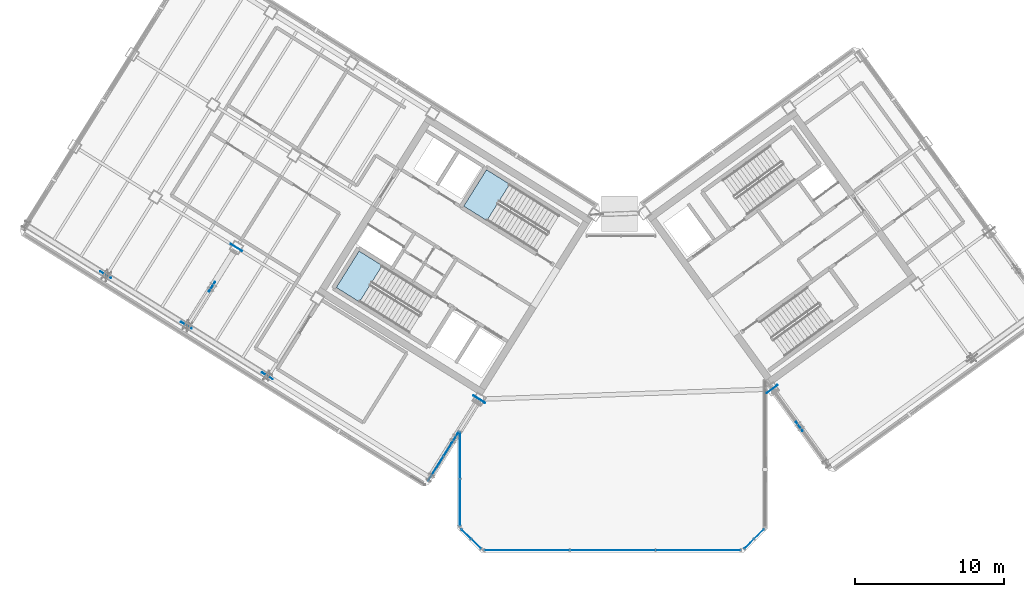
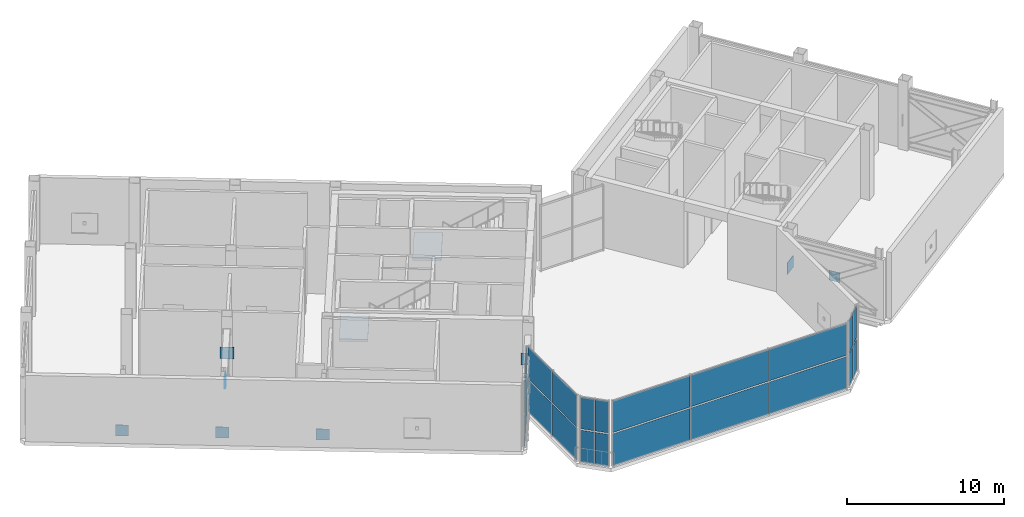
# One storey, part 14 of 32: 31 plates, 2 slabs, 7 elements without a shape of their own.
"""IFC4 building model written with IfcOpenShell, lengths in metres."""

from ifc_helpers import new_model, si_unit, direction, frame, origin, origin_2d, place, context, subcontext, project, spatial, polyline, rectangle, outline, extrude, source, transform, mapped, material, layer, layer_set, type_object, element, aggregate, save


model = new_model("IFC4")

# Units and contexts
model_context = context("Model", 3, precision=1e-05, world=origin(), true_north=direction((0.0, 1.0)))
body_context = subcontext(model_context, "Body", "Model", "MODEL_VIEW")
ifc_project = project(units=[si_unit("LENGTHUNIT", "METRE"), si_unit("AREAUNIT", "SQUARE_METRE"), si_unit("VOLUMEUNIT", "CUBIC_METRE"), si_unit("PLANEANGLEUNIT", "RADIAN"), si_unit("MASSUNIT", "GRAM", prefix="KILO")], contexts=[model_context])

# Site, building, storey
site_placement = place(None, origin())
site = spatial("IfcSite", under=ifc_project, at=site_placement, CompositionType="ELEMENT")
building_placement = place(site_placement, origin())
building = spatial("IfcBuilding", under=site, at=building_placement, Name="Tlacorven Tower", CompositionType="ELEMENT")
storey_placement = place(building_placement, frame((0.0, 0.0, 245.699951171875)))
storey = spatial("IfcBuildingStorey", under=building, at=storey_placement, Name="L62", CompositionType="ELEMENT", Elevation=245.699951171875)

# Stair, slab
ifc_material_1 = material(Name="Concrete C40/50", Category="concrete")
stair_type = type_object("IfcStairType", Name="ST-CORE-DLG", PredefinedType="HALF_TURN_STAIR", material=ifc_material_1)
stair_1_placement = place(storey_placement, origin())
stair_1 = element("IfcStair", 1, at=stair_1_placement, inside=storey, type_object=stair_type, Name="L62 Protected Exit Stair West 1", PredefinedType="HALF_TURN_STAIR")
ifc_layer_1 = layer(ifc_material_1, 0.199951171875)
ifc_layer_set_1 = layer_set([ifc_layer_1], Name="Concrete C40/50")
slab_type = type_object("IfcSlabType", Name="SL-LND-200", PredefinedType="LANDING", material=ifc_layer_set_1)
slab_1_placement = place(storey_placement, frame((0.0, 0.0, 2.5)))
slab_1 = element("IfcSlab", 2, at=slab_1_placement, type_object=slab_type, Name="ST-W1 landing 1", PredefinedType="LANDING", context=body_context, shape_type="SweptSolid", body=[
    extrude(outline(polyline([(26.541259765625, 21.05712890625), (24.9892578125, 22.02685546875), (23.463134765625, 19.58447265625), (25.014892578125, 18.61474609375), (26.541259765625, 21.05712890625)])), origin(), (0.0, 0.0, 1.0), 0.199951171875),
])
aggregate(stair_1, [slab_1])

stair_2_placement = place(storey_placement, origin())
stair_2 = element("IfcStair", 3, at=stair_2_placement, inside=storey, type_object=stair_type, Name="L62 Protected Exit Stair West 2", PredefinedType="HALF_TURN_STAIR")
slab_2_placement = place(storey_placement, frame((0.0, 0.0, 2.5)))
slab_2 = element("IfcSlab", 4, at=slab_2_placement, type_object=slab_type, Name="ST-W2 landing 1", PredefinedType="LANDING", context=body_context, shape_type="SweptSolid", body=[
    extrude(outline(polyline([(35.0927734375, 26.5146484375), (33.540771484375, 27.484375), (32.0146484375, 25.0419921875), (33.56640625, 24.072265625), (35.0927734375, 26.5146484375)])), origin(), (0.0, 0.0, 1.0), 0.199951171875),
])
aggregate(stair_2, [slab_2])

# Plates
ifc_material_2 = material(Name="Steel S460M", Category="steel")
ifc_layer_2 = layer(ifc_material_2, 0.0400390625)
ifc_layer_set_2 = layer_set([ifc_layer_2], Name="Steel S460M")
plate_type_1 = type_object("IfcPlateType", Name="PL-NODE-ON1", PredefinedType="SHEET", material=ifc_layer_set_2)
shared_shape_1 = source(origin(), body_context, "Body", "SweptSolid", [
    extrude(rectangle(XDim=0.75, YDim=0.0400390625, at=origin_2d()), origin(), (0.0, 0.0, 1.0), 0.75),
])
for number, where, z_axis, x_axis, name in (
    (5, (31.4033203125, 9.4580078125, 1.965087890625), (0.0, 0.0, 1.0), (-0.529919264233, -0.848048096156, 0.0), "L62 Outrigger X-Brace Crossing Gusset Plate W1"),
    (6, (15.120849609375, 19.63232421875, 1.965087890625), (0.0, 0.0, 1.0), (-0.529919264233, -0.848048096156, 0.0), "L62 Outrigger X-Brace Crossing Gusset Plate W2"),
    (7, (54.527587890625, 10.265380859375, 1.965087890625), (0.0, 0.0, 1.0), (-0.587785252292, 0.809016994375, 0.0), "L62 Outrigger X-Brace Crossing Gusset Plate E1"),
):
    element("IfcPlate", number, at=place(storey_placement, frame(where, z_axis=z_axis, x_axis=x_axis)), inside=storey, type_object=plate_type_1, Name=name, PredefinedType="SHEET", context=body_context, shape_type="MappedRepresentation", body=[
        mapped(shared_shape_1, transform((0.0, 0.0, 0.0), scale=1.0)),
    ])
shared_shape_2 = source(origin(), body_context, "Body", "SweptSolid", [
    extrude(rectangle(XDim=0.89990234375, YDim=0.0400390625, at=origin_2d()), origin(), (0.0, 0.0, 1.0), 0.89990234375),
])
for number, where, z_axis, x_axis, name in (
    (8, (33.046142578125, 12.0869140625, 1.89013671875), (0.0, 0.0, 1.0), (-0.848048096156, 0.529919264233, 0.0), "L62 Outrigger Embedded Core Gusset Node Plate ON1"),
    (9, (16.763671875, 22.26123046875, 1.89013671875), (0.0, 0.0, 1.0), (-0.848048096156, 0.529919264233, 0.0), "L62 Outrigger Embedded Core Gusset Node Plate ON1"),
    (10, (52.705322265625, 12.7734375, 1.89013671875), (0.0, 0.0, 1.0), (0.809016994375, 0.587785252292, 0.0), "L62 Outrigger Embedded Core Gusset Node Plate ON1"),
):
    element("IfcPlate", number, at=place(storey_placement, frame(where, z_axis=z_axis, x_axis=x_axis)), inside=storey, type_object=plate_type_1, Name=name, PredefinedType="SHEET", context=body_context, shape_type="MappedRepresentation", body=[
        mapped(shared_shape_2, transform((0.0, 0.0, 0.0), scale=1.0)),
    ])
ifc_layer_3 = layer(ifc_material_2, 0.035888671875)
ifc_layer_set_3 = layer_set([ifc_layer_3], Name="Steel S460M")
plate_type_2 = type_object("IfcPlateType", Name="PL-NODE-BN1", PredefinedType="SHEET", material=ifc_layer_set_3)
shared_shape_3 = source(origin(), body_context, "Body", "SweptSolid", [
    extrude(rectangle(XDim=0.85009765625, YDim=0.035888671875, at=origin_2d()), origin(), (0.0, 0.0, 1.0), 0.85009765625),
])
for number, where, z_axis, x_axis, name in (
    (11, (18.838134765625, 13.654052734375, 0.072021484375), (0.0, 0.0, 1.0), (-0.848048018873, 0.529919387912, 0.0), "L62 structural node gusset plate BLT-L62-W1-D1"),
    (12, (13.41064453125, 17.045654296875, 0.072021484375), (0.0, 0.0, 1.0), (-0.848048092771, 0.52991926965, 0.0), "L62 structural node gusset plate BLT-L62-W2-D1"),
    (13, (7.983154296875, 20.43701171875, 0.072021484375), (0.0, 0.0, 1.0), (-0.848048018873, 0.529919387912, 0.0), "L62 structural node gusset plate BLT-L62-W3-D1"),
):
    element("IfcPlate", number, at=place(storey_placement, frame(where, z_axis=z_axis, x_axis=x_axis)), inside=storey, type_object=plate_type_2, Name=name, PredefinedType="SHEET", context=body_context, shape_type="MappedRepresentation", body=[
        mapped(shared_shape_3, transform((0.0, 0.0, 0.0), scale=1.0)),
    ])

# Curtain wall, plates
ifc_material_3 = material(Name="Dark solar low-E double glazing in aluminium frame", Category="aluminium")
curtain_wall_type = type_object("IfcCurtainWallType", Name="CW-TWR-HIGH", PredefinedType="USERDEFINED", material=ifc_material_3)
curtain_wall_1_placement = place(storey_placement, origin())
curtain_wall_1 = element("IfcCurtainWall", 14, at=curtain_wall_1_placement, inside=storey, type_object=curtain_wall_type, Name="L62 CW-TWR-HIGH Curtain Wall 284", ObjectType="UNITISED CURTAIN WALL", PredefinedType="USERDEFINED")
ifc_material_4 = material(Name="High-wind dark solar tempered low-E glazing", Category="glass")
ifc_layer_4 = layer(ifc_material_4, 0.028076171875)
ifc_layer_set_4 = layer_set([ifc_layer_4], Name="High-wind dark solar tempered low-E glazing")
plate_type_3 = type_object("IfcPlateType", Name="CWP-03", PredefinedType="CURTAIN_PANEL", material=ifc_layer_set_4)
shared_shape_4 = source(origin(), body_context, "Body", "SweptSolid", [
    extrude(rectangle(XDim=0.89306640625, YDim=0.028076171875, at=origin_2d()), origin(), (0.0, 0.0, 1.0), 2.472900390625),
])
plate_1_placement = place(storey_placement, frame((51.8173828125, 3.043701171875, 0.05126953125), z_axis=(0.0, 0.0, 1.0), x_axis=(-0.707106781187, -0.707106781187, 0.0)))
plate_1 = element("IfcPlate", 15, at=plate_1_placement, type_object=plate_type_3, Name="CW-L62-284 Glazing Panel 1", PredefinedType="CURTAIN_PANEL", context=body_context, shape_type="MappedRepresentation", body=[
    mapped(shared_shape_4, transform((0.0, 0.0, 0.0), scale=1.0)),
])
plate_2_placement = place(storey_placement, frame((51.8173828125, 3.043701171875, 2.6259765625), z_axis=(0.0, 0.0, 1.0), x_axis=(-0.707106781187, -0.707106781187, 0.0)))
plate_2 = element("IfcPlate", 16, at=plate_2_placement, type_object=plate_type_3, Name="CW-L62-284 Glazing Panel 2", PredefinedType="CURTAIN_PANEL", context=body_context, shape_type="MappedRepresentation", body=[
    mapped(shared_shape_4, transform((0.0, 0.0, 0.0), scale=1.0)),
])
plate_3_placement = place(storey_placement, frame((51.15625, 2.382568359375, 0.05126953125), z_axis=(0.0, 0.0, 1.0), x_axis=(-0.707106781187, -0.707106781187, 0.0)))
plate_3 = element("IfcPlate", 17, at=plate_3_placement, type_object=plate_type_3, Name="CW-L62-284 Glazing Panel 3", PredefinedType="CURTAIN_PANEL", context=body_context, shape_type="MappedRepresentation", body=[
    mapped(shared_shape_4, transform((0.0, 0.0, 0.0), scale=1.0)),
])
plate_4_placement = place(storey_placement, frame((51.15625, 2.382568359375, 2.6259765625), z_axis=(0.0, 0.0, 1.0), x_axis=(-0.707106781187, -0.707106781187, 0.0)))
plate_4 = element("IfcPlate", 18, at=plate_4_placement, type_object=plate_type_3, Name="CW-L62-284 Glazing Panel 4", PredefinedType="CURTAIN_PANEL", context=body_context, shape_type="MappedRepresentation", body=[
    mapped(shared_shape_4, transform((0.0, 0.0, 0.0), scale=1.0)),
])
aggregate(curtain_wall_1, [plate_1, plate_2, plate_3, plate_4])

curtain_wall_2_placement = place(storey_placement, origin())
curtain_wall_2 = element("IfcCurtainWall", 19, at=curtain_wall_2_placement, inside=storey, type_object=curtain_wall_type, Name="L62 CW-TWR-HIGH Curtain Wall 286", ObjectType="UNITISED CURTAIN WALL", PredefinedType="USERDEFINED")
plate_5_placement = place(storey_placement, frame((32.84375, 2.382568359375, 0.05126953125), z_axis=(0.0, 0.0, 1.0), x_axis=(-0.707106781187, 0.707106781187, 0.0)))
plate_5 = element("IfcPlate", 20, at=plate_5_placement, type_object=plate_type_3, Name="CW-L62-286 Glazing Panel 1", PredefinedType="CURTAIN_PANEL", context=body_context, shape_type="MappedRepresentation", body=[
    mapped(shared_shape_4, transform((0.0, 0.0, 0.0), scale=1.0)),
])
plate_6_placement = place(storey_placement, frame((32.84375, 2.382568359375, 2.6259765625), z_axis=(0.0, 0.0, 1.0), x_axis=(-0.707106781187, 0.707106781187, 0.0)))
plate_6 = element("IfcPlate", 21, at=plate_6_placement, type_object=plate_type_3, Name="CW-L62-286 Glazing Panel 2", PredefinedType="CURTAIN_PANEL", context=body_context, shape_type="MappedRepresentation", body=[
    mapped(shared_shape_4, transform((0.0, 0.0, 0.0), scale=1.0)),
])
plate_7_placement = place(storey_placement, frame((32.1826171875, 3.043701171875, 0.05126953125), z_axis=(0.0, 0.0, 1.0), x_axis=(-0.707106781187, 0.707106781187, 0.0)))
plate_7 = element("IfcPlate", 22, at=plate_7_placement, type_object=plate_type_3, Name="CW-L62-286 Glazing Panel 3", PredefinedType="CURTAIN_PANEL", context=body_context, shape_type="MappedRepresentation", body=[
    mapped(shared_shape_4, transform((0.0, 0.0, 0.0), scale=1.0)),
])
plate_8_placement = place(storey_placement, frame((32.1826171875, 3.043701171875, 2.6259765625), z_axis=(0.0, 0.0, 1.0), x_axis=(-0.707106781187, 0.707106781187, 0.0)))
plate_8 = element("IfcPlate", 23, at=plate_8_placement, type_object=plate_type_3, Name="CW-L62-286 Glazing Panel 4", PredefinedType="CURTAIN_PANEL", context=body_context, shape_type="MappedRepresentation", body=[
    mapped(shared_shape_4, transform((0.0, 0.0, 0.0), scale=1.0)),
])
aggregate(curtain_wall_2, [plate_5, plate_6, plate_7, plate_8])

curtain_wall_3_placement = place(storey_placement, origin())
curtain_wall_3 = element("IfcCurtainWall", 24, at=curtain_wall_3_placement, inside=storey, type_object=curtain_wall_type, Name="L62 CW-TWR-HIGH Curtain Wall 285", ObjectType="UNITISED CURTAIN WALL", PredefinedType="USERDEFINED")
shared_shape_5 = source(origin(), body_context, "Body", "SweptSolid", [
    extrude(rectangle(XDim=5.683837890625, YDim=0.028076171875, at=origin_2d()), origin(), (0.0, 0.0, 1.0), 2.472900390625),
])
plate_9_placement = place(storey_placement, frame((47.74072265625, 1.9599609375, 0.05126953125), z_axis=(0.0, 0.0, 1.0), x_axis=(-1.0, 0.0, 0.0)))
plate_9 = element("IfcPlate", 25, at=plate_9_placement, type_object=plate_type_3, Name="CW-L62-285 Glazing Panel 1", PredefinedType="CURTAIN_PANEL", context=body_context, shape_type="MappedRepresentation", body=[
    mapped(shared_shape_5, transform((0.0, 0.0, 0.0), scale=1.0)),
])
plate_10_placement = place(storey_placement, frame((47.74072265625, 1.9599609375, 2.6259765625), z_axis=(0.0, 0.0, 1.0), x_axis=(-1.0, 0.0, 0.0)))
plate_10 = element("IfcPlate", 26, at=plate_10_placement, type_object=plate_type_3, Name="CW-L62-285 Glazing Panel 2", PredefinedType="CURTAIN_PANEL", context=body_context, shape_type="MappedRepresentation", body=[
    mapped(shared_shape_5, transform((0.0, 0.0, 0.0), scale=1.0)),
])
plate_11_placement = place(storey_placement, frame((36.25927734375, 1.9599609375, 0.05126953125), z_axis=(0.0, 0.0, 1.0), x_axis=(-1.0, 0.0, 0.0)))
plate_11 = element("IfcPlate", 27, at=plate_11_placement, type_object=plate_type_3, Name="CW-L62-285 Glazing Panel 5", PredefinedType="CURTAIN_PANEL", context=body_context, shape_type="MappedRepresentation", body=[
    mapped(shared_shape_5, transform((0.0, 0.0, 0.0), scale=1.0)),
])
plate_12_placement = place(storey_placement, frame((36.25927734375, 1.9599609375, 2.6259765625), z_axis=(0.0, 0.0, 1.0), x_axis=(-1.0, 0.0, 0.0)))
plate_12 = element("IfcPlate", 28, at=plate_12_placement, type_object=plate_type_3, Name="CW-L62-285 Glazing Panel 6", PredefinedType="CURTAIN_PANEL", context=body_context, shape_type="MappedRepresentation", body=[
    mapped(shared_shape_5, transform((0.0, 0.0, 0.0), scale=1.0)),
])
shared_shape_6 = source(origin(), body_context, "Body", "SweptSolid", [
    extrude(rectangle(XDim=5.7138671875, YDim=0.028076171875, at=origin_2d()), origin(), (0.0, 0.0, 1.0), 2.472900390625),
])
plate_13_placement = place(storey_placement, frame((42.0, 1.9599609375, 0.05126953125), z_axis=(0.0, 0.0, 1.0), x_axis=(-1.0, 0.0, 0.0)))
plate_13 = element("IfcPlate", 29, at=plate_13_placement, type_object=plate_type_3, Name="CW-L62-285 Glazing Panel 3", PredefinedType="CURTAIN_PANEL", context=body_context, shape_type="MappedRepresentation", body=[
    mapped(shared_shape_6, transform((0.0, 0.0, 0.0), scale=1.0)),
])
plate_14_placement = place(storey_placement, frame((42.0, 1.9599609375, 2.6259765625), z_axis=(0.0, 0.0, 1.0), x_axis=(-1.0, 0.0, 0.0)))
plate_14 = element("IfcPlate", 30, at=plate_14_placement, type_object=plate_type_3, Name="CW-L62-285 Glazing Panel 4", PredefinedType="CURTAIN_PANEL", context=body_context, shape_type="MappedRepresentation", body=[
    mapped(shared_shape_6, transform((0.0, 0.0, 0.0), scale=1.0)),
])
aggregate(curtain_wall_3, [plate_9, plate_10, plate_13, plate_14, plate_11, plate_12])

curtain_wall_4_placement = place(storey_placement, origin())
curtain_wall_4 = element("IfcCurtainWall", 31, at=curtain_wall_4_placement, inside=storey, type_object=curtain_wall_type, Name="L62 CW-TWR-HIGH Curtain Wall 287", ObjectType="UNITISED CURTAIN WALL", PredefinedType="USERDEFINED")
shared_shape_7 = source(origin(), body_context, "Body", "SweptSolid", [
    extrude(rectangle(XDim=3.109130859375, YDim=0.028076171875, at=origin_2d()), origin(), (0.0, 0.0, 1.0), 2.472900390625),
])
plate_15_placement = place(storey_placement, frame((31.760009765625, 5.171875, 0.05126953125), z_axis=(0.0, 0.0, 1.0), x_axis=(0.0, 1.0, 0.0)))
plate_15 = element("IfcPlate", 32, at=plate_15_placement, type_object=plate_type_3, Name="CW-L62-287 Glazing Panel 1", PredefinedType="CURTAIN_PANEL", context=body_context, shape_type="MappedRepresentation", body=[
    mapped(shared_shape_7, transform((0.0, 0.0, 0.0), scale=1.0)),
])
plate_16_placement = place(storey_placement, frame((31.760009765625, 5.171875, 2.6259765625), z_axis=(0.0, 0.0, 1.0), x_axis=(0.0, 1.0, 0.0)))
plate_16 = element("IfcPlate", 33, at=plate_16_placement, type_object=plate_type_3, Name="CW-L62-287 Glazing Panel 2", PredefinedType="CURTAIN_PANEL", context=body_context, shape_type="MappedRepresentation", body=[
    mapped(shared_shape_7, transform((0.0, 0.0, 0.0), scale=1.0)),
])
plate_17_placement = place(storey_placement, frame((31.760009765625, 8.322998046875, 0.05126953125), z_axis=(0.0, 0.0, 1.0), x_axis=(0.0, 1.0, 0.0)))
plate_17 = element("IfcPlate", 34, at=plate_17_placement, type_object=plate_type_3, Name="CW-L62-287 Glazing Panel 3", PredefinedType="CURTAIN_PANEL", context=body_context, shape_type="MappedRepresentation", body=[
    mapped(shared_shape_7, transform((0.0, 0.0, 0.0), scale=1.0)),
])
plate_18_placement = place(storey_placement, frame((31.760009765625, 8.322998046875, 2.6259765625), z_axis=(0.0, 0.0, 1.0), x_axis=(0.0, 1.0, 0.0)))
plate_18 = element("IfcPlate", 35, at=plate_18_placement, type_object=plate_type_3, Name="CW-L62-287 Glazing Panel 4", PredefinedType="CURTAIN_PANEL", context=body_context, shape_type="MappedRepresentation", body=[
    mapped(shared_shape_7, transform((0.0, 0.0, 0.0), scale=1.0)),
])
aggregate(curtain_wall_4, [plate_15, plate_16, plate_17, plate_18])

curtain_wall_5_placement = place(storey_placement, origin())
curtain_wall_5 = element("IfcCurtainWall", 36, at=curtain_wall_5_placement, inside=storey, type_object=curtain_wall_type, Name="L62 CW-TWR-HIGH Curtain Wall 288", ObjectType="UNITISED CURTAIN WALL", PredefinedType="USERDEFINED")
shared_shape_8 = source(origin(), body_context, "Body", "SweptSolid", [
    extrude(rectangle(XDim=1.911376953125, YDim=0.028076171875, at=origin_2d()), origin(), (0.0, 0.0, 1.0), 2.472900390625),
])
plate_19_placement = place(storey_placement, frame((31.173583984375, 9.090087890625, 0.05126953125), z_axis=(0.0, 0.0, 1.0), x_axis=(-0.529918710919, -0.848048441905, 0.0)))
plate_19 = element("IfcPlate", 37, at=plate_19_placement, type_object=plate_type_3, Name="CW-L62-288 Glazing Panel 1", PredefinedType="CURTAIN_PANEL", context=body_context, shape_type="MappedRepresentation", body=[
    mapped(shared_shape_8, transform((0.0, 0.0, 0.0), scale=1.0)),
])
plate_20_placement = place(storey_placement, frame((31.173583984375, 9.090087890625, 2.6259765625), z_axis=(0.0, 0.0, 1.0), x_axis=(-0.529918710919, -0.848048441905, 0.0)))
plate_20 = element("IfcPlate", 38, at=plate_20_placement, type_object=plate_type_3, Name="CW-L62-288 Glazing Panel 2", PredefinedType="CURTAIN_PANEL", context=body_context, shape_type="MappedRepresentation", body=[
    mapped(shared_shape_8, transform((0.0, 0.0, 0.0), scale=1.0)),
])
plate_21_placement = place(storey_placement, frame((30.138427734375, 7.43359375, 0.05126953125), z_axis=(0.0, 0.0, 1.0), x_axis=(-0.529918710919, -0.848048441905, 0.0)))
plate_21 = element("IfcPlate", 39, at=plate_21_placement, type_object=plate_type_3, Name="CW-L62-288 Glazing Panel 3", PredefinedType="CURTAIN_PANEL", context=body_context, shape_type="MappedRepresentation", body=[
    mapped(shared_shape_8, transform((0.0, 0.0, 0.0), scale=1.0)),
])
plate_22_placement = place(storey_placement, frame((30.138427734375, 7.43359375, 2.6259765625), z_axis=(0.0, 0.0, 1.0), x_axis=(-0.529918710919, -0.848048441905, 0.0)))
plate_22 = element("IfcPlate", 40, at=plate_22_placement, type_object=plate_type_3, Name="CW-L62-288 Glazing Panel 4", PredefinedType="CURTAIN_PANEL", context=body_context, shape_type="MappedRepresentation", body=[
    mapped(shared_shape_8, transform((0.0, 0.0, 0.0), scale=1.0)),
])
aggregate(curtain_wall_5, [plate_19, plate_20, plate_21, plate_22])

save(model, "model.ifc")
